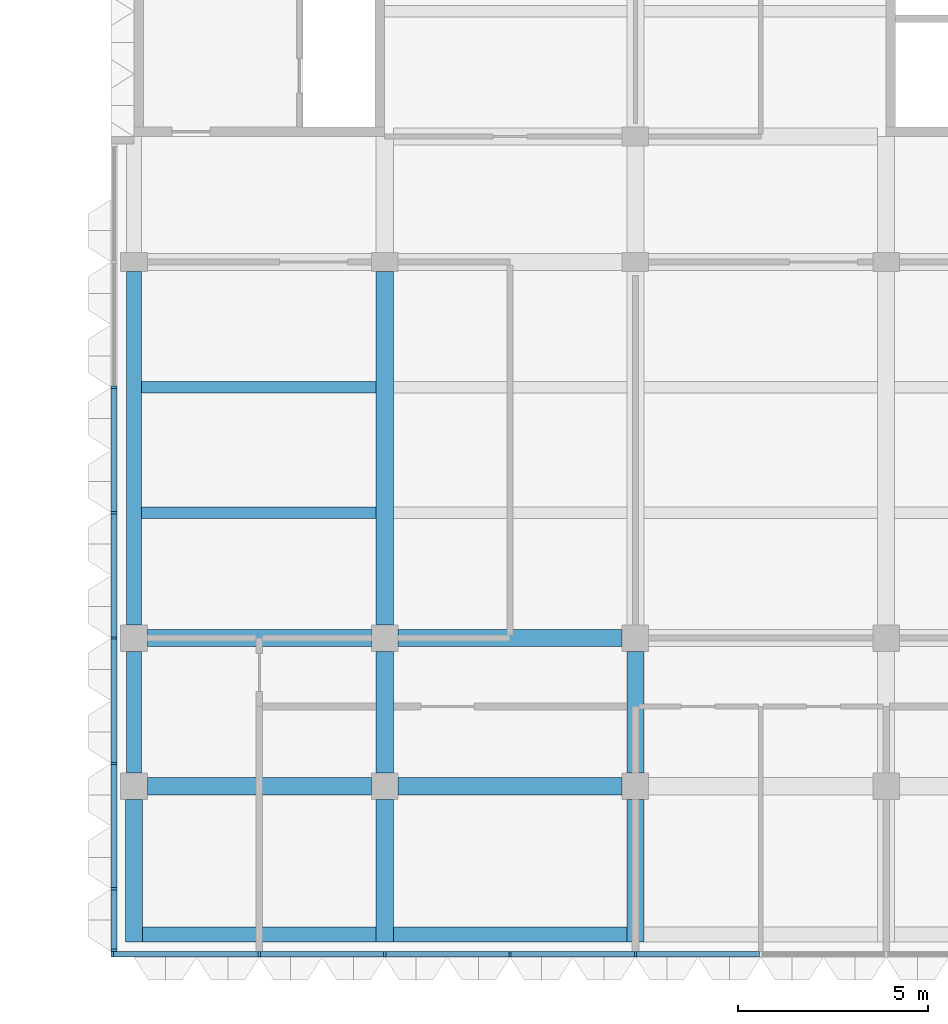
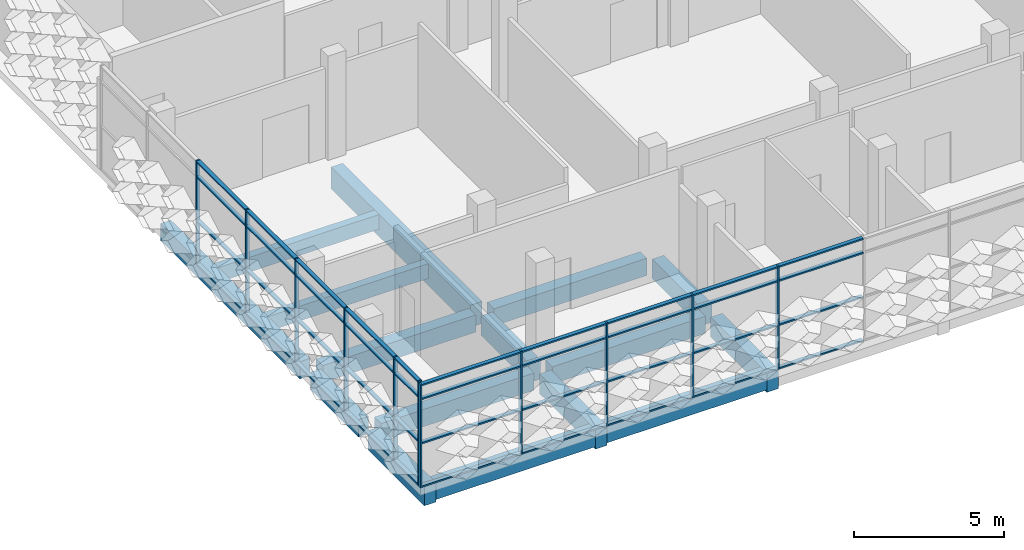
# One storey, part 2 of 61: 51 members, 16 beams, 2 elements without a shape of their own.
"""IFC4 building model written with IfcOpenShell, lengths in metres."""

from ifc_helpers import new_model, si_unit, direction, frame, origin, origin_2d, place, context, subcontext, project, spatial, rectangle, extrude, material, material_profile, profile_set, type_object, element, aggregate, save


model = new_model("IFC4")

# Units and contexts
model_context = context("Model", 3, precision=1e-05, world=origin(), true_north=direction((0.0, 1.0)))
body_context = subcontext(model_context, "Body", "Model", "MODEL_VIEW")
ifc_project = project(units=[si_unit("LENGTHUNIT", "METRE"), si_unit("AREAUNIT", "SQUARE_METRE"), si_unit("VOLUMEUNIT", "CUBIC_METRE"), si_unit("PLANEANGLEUNIT", "RADIAN"), si_unit("MASSUNIT", "GRAM", prefix="KILO")], contexts=[model_context])

# Site, building, storey
site_placement = place(None, origin())
site = spatial("IfcSite", under=ifc_project, at=site_placement, CompositionType="ELEMENT")
building_placement = place(site_placement, origin())
building = spatial("IfcBuilding", under=site, at=building_placement, Name="Lantern Court Research Institute", CompositionType="ELEMENT")
storey_placement = place(building_placement, frame((0.0, 0.0, 23.39990234375)))
storey = spatial("IfcBuildingStorey", under=building, at=storey_placement, Name="L05", CompositionType="ELEMENT", Elevation=23.39990234375)

# Curtain wall, members
ifc_material_1 = material(Name="Aluminium alloy 6063-T6", Category="aluminium")
curtain_wall_type_1 = type_object("IfcCurtainWallType", Name="Curtain wall 53400 x 4200 x 150 aluminium frame", PredefinedType="NOTDEFINED", material=ifc_material_1)
curtain_wall_1_placement = place(storey_placement, origin())
curtain_wall_1 = element("IfcCurtainWall", 1, at=curtain_wall_1_placement, inside=storey, type_object=curtain_wall_type_1, Name="Curtain wall CW072", PredefinedType="NOTDEFINED")
ifc_material_2 = material(Name="Aluminium alloy 6063-T6", Category="aluminium")
ifc_material_profile_1 = material_profile(ifc_material_2, rectangle(XDim=0.14990234375, YDim=0.06005859375, at=origin_2d()), Name="Mullion 150 x 60")
ifc_profile_set_1 = profile_set([ifc_material_profile_1], Name="Aluminium alloy 6063-T6")
member_type_1 = type_object("IfcMemberType", Name="Mullion 150 x 60 aluminium", PredefinedType="MULLION", material=ifc_profile_set_1)
member_1_placement = place(storey_placement, frame((-0.570068359375, -8.324951171875, 0.0), z_axis=(0.0, 0.0, 1.0), x_axis=(0.0, -1.0, 0.0)))
member_1 = element("IfcMember", 2, at=member_1_placement, type_object=member_type_1, Name="CW072 mullion 1", PredefinedType="MULLION", context=body_context, shape_type="SweptSolid", body=[
    extrude(rectangle(XDim=0.14990234375, YDim=0.06005859375, at=origin_2d()), origin(), (0.0, 0.0, 1.0), 4.2001953125),
])
member_2_placement = place(storey_placement, frame((3.300048828125, -8.324951171875, 0.0), z_axis=(0.0, 0.0, 1.0), x_axis=(0.0, -1.0, 0.0)))
member_2 = element("IfcMember", 3, at=member_2_placement, type_object=member_type_1, Name="CW072 mullion 2", PredefinedType="MULLION", context=body_context, shape_type="SweptSolid", body=[
    extrude(rectangle(XDim=0.14990234375, YDim=0.06005859375, at=origin_2d()), origin(), (0.0, 0.0, 1.0), 4.2001953125),
])
member_3_placement = place(storey_placement, frame((6.60009765625, -8.324951171875, 0.0), z_axis=(0.0, 0.0, 1.0), x_axis=(0.0, -1.0, 0.0)))
member_3 = element("IfcMember", 4, at=member_3_placement, type_object=member_type_1, Name="CW072 mullion 3", PredefinedType="MULLION", context=body_context, shape_type="SweptSolid", body=[
    extrude(rectangle(XDim=0.14990234375, YDim=0.06005859375, at=origin_2d()), origin(), (0.0, 0.0, 1.0), 4.2001953125),
])
member_4_placement = place(storey_placement, frame((9.89990234375, -8.324951171875, 0.0), z_axis=(0.0, 0.0, 1.0), x_axis=(0.0, -1.0, 0.0)))
member_4 = element("IfcMember", 5, at=member_4_placement, type_object=member_type_1, Name="CW072 mullion 4", PredefinedType="MULLION", context=body_context, shape_type="SweptSolid", body=[
    extrude(rectangle(XDim=0.14990234375, YDim=0.06005859375, at=origin_2d()), origin(), (0.0, 0.0, 1.0), 4.2001953125),
])
member_5_placement = place(storey_placement, frame((13.199951171875, -8.324951171875, 0.0), z_axis=(0.0, 0.0, 1.0), x_axis=(0.0, -1.0, 0.0)))
member_5 = element("IfcMember", 6, at=member_5_placement, type_object=member_type_1, Name="CW072 mullion 5", PredefinedType="MULLION", context=body_context, shape_type="SweptSolid", body=[
    extrude(rectangle(XDim=0.14990234375, YDim=0.06005859375, at=origin_2d()), origin(), (0.0, 0.0, 1.0), 4.2001953125),
])

ifc_material_3 = material(Name="Aluminium alloy 6063-T6", Category="aluminium")
curtain_wall_type_2 = type_object("IfcCurtainWallType", Name="Curtain wall 21250 x 4250 x 150 aluminium frame", PredefinedType="NOTDEFINED", material=ifc_material_3)
curtain_wall_2_placement = place(storey_placement, origin())
curtain_wall_2 = element("IfcCurtainWall", 7, at=curtain_wall_2_placement, inside=storey, type_object=curtain_wall_type_2, Name="Curtain wall CW073", PredefinedType="NOTDEFINED")
member_6_placement = place(storey_placement, frame((-0.52490234375, -8.219970703125, 0.0), z_axis=(0.0, 0.0, 1.0), x_axis=(-1.0, 0.0, 0.0)))
member_6 = element("IfcMember", 8, at=member_6_placement, type_object=member_type_1, Name="CW073 mullion 1", PredefinedType="MULLION", context=body_context, shape_type="SweptSolid", body=[
    extrude(rectangle(XDim=0.14990234375, YDim=0.06005859375, at=origin_2d()), origin(), (0.0, 0.0, 1.0), 4.25),
])
member_7_placement = place(storey_placement, frame((-0.52490234375, -6.60009765625, 0.0), z_axis=(0.0, 0.0, 1.0), x_axis=(-1.0, 0.0, 0.0)))
member_7 = element("IfcMember", 9, at=member_7_placement, type_object=member_type_1, Name="CW073 mullion 2", PredefinedType="MULLION", context=body_context, shape_type="SweptSolid", body=[
    extrude(rectangle(XDim=0.14990234375, YDim=0.06005859375, at=origin_2d()), origin(), (0.0, 0.0, 1.0), 4.25),
])
member_8_placement = place(storey_placement, frame((-0.52490234375, -3.300048828125, 0.0), z_axis=(0.0, 0.0, 1.0), x_axis=(-1.0, 0.0, 0.0)))
member_8 = element("IfcMember", 10, at=member_8_placement, type_object=member_type_1, Name="CW073 mullion 3", PredefinedType="MULLION", context=body_context, shape_type="SweptSolid", body=[
    extrude(rectangle(XDim=0.14990234375, YDim=0.06005859375, at=origin_2d()), origin(), (0.0, 0.0, 1.0), 4.25),
])
member_9_placement = place(storey_placement, frame((-0.52490234375, 0.0, 0.0), z_axis=(0.0, 0.0, 1.0), x_axis=(-1.0, 0.0, 0.0)))
member_9 = element("IfcMember", 11, at=member_9_placement, type_object=member_type_1, Name="CW073 mullion 4", PredefinedType="MULLION", context=body_context, shape_type="SweptSolid", body=[
    extrude(rectangle(XDim=0.14990234375, YDim=0.06005859375, at=origin_2d()), origin(), (0.0, 0.0, 1.0), 4.25),
])
member_10_placement = place(storey_placement, frame((-0.52490234375, 3.300048828125, 0.0), z_axis=(0.0, 0.0, 1.0), x_axis=(-1.0, 0.0, 0.0)))
member_10 = element("IfcMember", 12, at=member_10_placement, type_object=member_type_1, Name="CW073 mullion 5", PredefinedType="MULLION", context=body_context, shape_type="SweptSolid", body=[
    extrude(rectangle(XDim=0.14990234375, YDim=0.06005859375, at=origin_2d()), origin(), (0.0, 0.0, 1.0), 4.25),
])
member_11_placement = place(storey_placement, frame((-0.52490234375, 6.60009765625, 0.0), z_axis=(0.0, 0.0, 1.0), x_axis=(-1.0, 0.0, 0.0)))
member_11 = element("IfcMember", 13, at=member_11_placement, type_object=member_type_1, Name="CW073 mullion 6", PredefinedType="MULLION", context=body_context, shape_type="SweptSolid", body=[
    extrude(rectangle(XDim=0.14990234375, YDim=0.06005859375, at=origin_2d()), origin(), (0.0, 0.0, 1.0), 4.25),
])

# Beams
ifc_material_4 = material(Name="Concrete C40/50", Category="concrete")
ifc_material_profile_2 = material_profile(ifc_material_4, rectangle(XDim=0.449951171875, YDim=0.699951171875, at=origin_2d()), Name="RC beam 450 x 700")
ifc_profile_set_2 = profile_set([ifc_material_profile_2], Name="Concrete C40/50")
beam_type_1 = type_object("IfcBeamType", Name="RC beam 450 x 700", PredefinedType="BEAM", material=ifc_profile_set_2)
beam_1_placement = place(storey_placement, frame((0.35009765625, -3.89990234375, -0.64990234375), z_axis=(1.0, 0.0, 0.0), x_axis=(0.0, 1.0, 0.0)))
element("IfcBeam", 14, at=beam_1_placement, inside=storey, type_object=beam_type_1, Name="Beam L05 grid Y/1-2", PredefinedType="BEAM", context=body_context, shape_type="SweptSolid", body=[
    extrude(rectangle(XDim=0.449951171875, YDim=0.699951171875, at=origin_2d()), origin(), (0.0, 0.0, 1.0), 5.89990234375),
])
beam_2_placement = place(storey_placement, frame((6.949951171875, -3.89990234375, -0.64990234375), z_axis=(1.0, 0.0, 0.0), x_axis=(0.0, 1.0, 0.0)))
element("IfcBeam", 15, at=beam_2_placement, inside=storey, type_object=beam_type_1, Name="Beam L05 grid Y/2-3", PredefinedType="BEAM", context=body_context, shape_type="SweptSolid", body=[
    extrude(rectangle(XDim=0.449951171875, YDim=0.699951171875, at=origin_2d()), origin(), (0.0, 0.0, 1.0), 5.900146484375),
])
beam_3_placement = place(storey_placement, frame((0.35009765625, 0.0, -0.64990234375), z_axis=(1.0, 0.0, 0.0), x_axis=(0.0, 1.0, 0.0)))
element("IfcBeam", 16, at=beam_3_placement, inside=storey, type_object=beam_type_1, Name="Beam L05 grid A/1-2", PredefinedType="BEAM", context=body_context, shape_type="SweptSolid", body=[
    extrude(rectangle(XDim=0.449951171875, YDim=0.699951171875, at=origin_2d()), origin(), (0.0, 0.0, 1.0), 5.89990234375),
])
beam_4_placement = place(storey_placement, frame((6.949951171875, 0.0, -0.64990234375), z_axis=(1.0, 0.0, 0.0), x_axis=(0.0, 1.0, 0.0)))
element("IfcBeam", 17, at=beam_4_placement, inside=storey, type_object=beam_type_1, Name="Beam L05 grid A/2-3", PredefinedType="BEAM", context=body_context, shape_type="SweptSolid", body=[
    extrude(rectangle(XDim=0.449951171875, YDim=0.699951171875, at=origin_2d()), origin(), (0.0, 0.0, 1.0), 5.900146484375),
])
ifc_material_5 = material(Name="Concrete C40/50", Category="concrete")
ifc_material_profile_3 = material_profile(ifc_material_5, rectangle(XDim=0.449951171875, YDim=0.800048828125, at=origin_2d()), Name="RC beam 450 x 800")
ifc_profile_set_3 = profile_set([ifc_material_profile_3], Name="Concrete C40/50")
beam_type_2 = type_object("IfcBeamType", Name="RC cantilever beam 450 x 800", PredefinedType="BEAM", material=ifc_profile_set_3)
for number, where, z_axis, x_axis, name in (
    (18, (0.0, -4.25, -0.699951171875), (0.0, -1.0, 0.0), (1.0, 0.0, 0.0), "Cantilever beam L05 grid 1/Y-tip"),
    (19, (6.60009765625, -4.25, -0.699951171875), (0.0, -1.0, 0.0), (1.0, 0.0, 0.0), "Cantilever beam L05 grid 2/Y-tip"),
    (20, (13.199951171875, -4.25, -0.699951171875), (0.0, -1.0, 0.0), (1.0, 0.0, 0.0), "Cantilever beam L05 grid 3/Y-tip"),
):
    element("IfcBeam", number, at=place(storey_placement, frame(where, z_axis=z_axis, x_axis=x_axis)), inside=storey, type_object=beam_type_2, Name=name, PredefinedType="BEAM", context=body_context, shape_type="SweptSolid", body=[
        extrude(rectangle(XDim=0.449951171875, YDim=0.800048828125, at=origin_2d()), origin(), (0.0, 0.0, 1.0), 3.75),
    ])
ifc_material_6 = material(Name="Concrete C40/50", Category="concrete")
ifc_material_profile_4 = material_profile(ifc_material_6, rectangle(XDim=0.39990234375, YDim=0.699951171875, at=origin_2d()), Name="RC beam 400 x 700")
ifc_profile_set_4 = profile_set([ifc_material_profile_4], Name="Concrete C40/50")
beam_type_3 = type_object("IfcBeamType", Name="RC edge beam 400 x 700", PredefinedType="BEAM", material=ifc_profile_set_4)
beam_5_placement = place(storey_placement, frame((0.0, -3.550048828125, -0.64990234375), z_axis=(0.0, 1.0, 0.0), x_axis=(-1.0, 0.0, 0.0)))
element("IfcBeam", 21, at=beam_5_placement, inside=storey, type_object=beam_type_3, Name="Edge beam L05 grid 1/Y-A", PredefinedType="BEAM", context=body_context, shape_type="SweptSolid", body=[
    extrude(rectangle(XDim=0.39990234375, YDim=0.699951171875, at=origin_2d()), origin(), (0.0, 0.0, 1.0), 3.199951171875),
])
beam_6_placement = place(storey_placement, frame((0.0, 0.35009765625, -0.64990234375), z_axis=(0.0, 1.0, 0.0), x_axis=(-1.0, 0.0, 0.0)))
element("IfcBeam", 22, at=beam_6_placement, inside=storey, type_object=beam_type_3, Name="Edge beam L05 grid 1/A-B", PredefinedType="BEAM", context=body_context, shape_type="SweptSolid", body=[
    extrude(rectangle(XDim=0.39990234375, YDim=0.699951171875, at=origin_2d()), origin(), (0.0, 0.0, 1.0), 9.2998046875),
])
beam_7_placement = place(storey_placement, frame((0.22509765625, -7.800048828125, -0.64990234375), z_axis=(1.0, 0.0, 0.0), x_axis=(0.0, 1.0, 0.0)))
element("IfcBeam", 23, at=beam_7_placement, inside=storey, type_object=beam_type_3, Name="Edge beam L05 grid tip/1-2", PredefinedType="BEAM", context=body_context, shape_type="SweptSolid", body=[
    extrude(rectangle(XDim=0.39990234375, YDim=0.699951171875, at=origin_2d()), origin(), (0.0, 0.0, 1.0), 6.14990234375),
])
beam_8_placement = place(storey_placement, frame((6.824951171875, -7.800048828125, -0.64990234375), z_axis=(1.0, 0.0, 0.0), x_axis=(0.0, 1.0, 0.0)))
element("IfcBeam", 24, at=beam_8_placement, inside=storey, type_object=beam_type_3, Name="Edge beam L05 grid tip/2-3", PredefinedType="BEAM", context=body_context, shape_type="SweptSolid", body=[
    extrude(rectangle(XDim=0.39990234375, YDim=0.699951171875, at=origin_2d()), origin(), (0.0, 0.0, 1.0), 6.150146484375),
])
ifc_material_7 = material(Name="Concrete C40/50", Category="concrete")
ifc_material_profile_5 = material_profile(ifc_material_7, rectangle(XDim=0.449951171875, YDim=0.800048828125, at=origin_2d()), Name="RC beam 450 x 800")
ifc_profile_set_5 = profile_set([ifc_material_profile_5], Name="Concrete C40/50")
beam_type_4 = type_object("IfcBeamType", Name="RC girder 450 x 800", PredefinedType="BEAM", material=ifc_profile_set_5)
for number, where, z_axis, x_axis, name in (
    (25, (6.60009765625, -3.550048828125, -0.699951171875), (0.0, 1.0, 0.0), (-1.0, 0.0, 0.0), "Girder L05 grid 2/Y-A"),
    (26, (13.199951171875, -3.550048828125, -0.699951171875), (0.0, 1.0, 0.0), (-1.0, 0.0, 0.0), "Girder L05 grid 3/Y-A"),
):
    element("IfcBeam", number, at=place(storey_placement, frame(where, z_axis=z_axis, x_axis=x_axis)), inside=storey, type_object=beam_type_4, Name=name, PredefinedType="BEAM", context=body_context, shape_type="SweptSolid", body=[
        extrude(rectangle(XDim=0.449951171875, YDim=0.800048828125, at=origin_2d()), origin(), (0.0, 0.0, 1.0), 3.199951171875),
    ])
ifc_material_8 = material(Name="Concrete C40/50", Category="concrete")
ifc_material_profile_6 = material_profile(ifc_material_8, rectangle(XDim=0.449951171875, YDim=0.89990234375, at=origin_2d()), Name="RC beam 450 x 900")
ifc_profile_set_6 = profile_set([ifc_material_profile_6], Name="Concrete C40/50")
beam_type_5 = type_object("IfcBeamType", Name="RC girder 450 x 900", PredefinedType="BEAM", material=ifc_profile_set_6)
beam_9_placement = place(storey_placement, frame((6.60009765625, 0.35009765625, -0.75), z_axis=(0.0, 1.0, 0.0), x_axis=(-1.0, 0.0, 0.0)))
element("IfcBeam", 27, at=beam_9_placement, inside=storey, type_object=beam_type_5, Name="Girder L05 grid 2/A-B", PredefinedType="BEAM", context=body_context, shape_type="SweptSolid", body=[
    extrude(rectangle(XDim=0.449951171875, YDim=0.89990234375, at=origin_2d()), origin(), (0.0, 0.0, 1.0), 9.2998046875),
])
ifc_material_9 = material(Name="Concrete C40/50", Category="concrete")
ifc_material_profile_7 = material_profile(ifc_material_9, rectangle(XDim=0.300048828125, YDim=0.60009765625, at=origin_2d()), Name="RC beam 300 x 600")
ifc_profile_set_7 = profile_set([ifc_material_profile_7], Name="Concrete C40/50")
beam_type_6 = type_object("IfcBeamType", Name="RC secondary beam 300 x 600", PredefinedType="BEAM", material=ifc_profile_set_7)
for number, where, z_axis, x_axis, name in (
    (28, (0.199951171875, 3.300048828125, -0.599853515625), (1.0, 0.0, 0.0), (0.0, 1.0, 0.0), "Secondary beam L05 grids 1-2 / A-B, line 1"),
    (29, (0.199951171875, 6.60009765625, -0.599853515625), (1.0, 0.0, 0.0), (0.0, 1.0, 0.0), "Secondary beam L05 grids 1-2 / A-B, line 2"),
):
    element("IfcBeam", number, at=place(storey_placement, frame(where, z_axis=z_axis, x_axis=x_axis)), inside=storey, type_object=beam_type_6, Name=name, PredefinedType="BEAM", context=body_context, shape_type="SweptSolid", body=[
        extrude(rectangle(XDim=0.300048828125, YDim=0.60009765625, at=origin_2d()), origin(), (0.0, 0.0, 1.0), 6.175048828125),
    ])

# Member
ifc_material_10 = material(Name="Aluminium alloy 6063-T6", Category="aluminium")
ifc_material_profile_8 = material_profile(ifc_material_10, rectangle(XDim=0.14990234375, YDim=0.06005859375, at=origin_2d()), Name="Transom 150 x 60")
ifc_profile_set_8 = profile_set([ifc_material_profile_8], Name="Aluminium alloy 6063-T6")
member_type_2 = type_object("IfcMemberType", Name="Transom 150 x 60 aluminium", PredefinedType="USERDEFINED", material=ifc_profile_set_8)
member_12_placement = place(storey_placement, frame((3.27001953125, -8.324951171875, 0.030029296875), z_axis=(-1.0, 0.0, 0.0), x_axis=(0.0, -1.0, 0.0)))
member_12 = element("IfcMember", 30, at=member_12_placement, type_object=member_type_2, Name="CW072 transom 1.1", ObjectType="TRANSOM", PredefinedType="USERDEFINED", context=body_context, shape_type="SweptSolid", body=[
    extrude(rectangle(XDim=0.14990234375, YDim=0.06005859375, at=origin_2d()), origin(), (0.0, 0.0, 1.0), 3.81005859375),
])

member_13_placement = place(storey_placement, frame((3.27001953125, -8.324951171875, 1.800048828125), z_axis=(-1.0, 0.0, 0.0), x_axis=(0.0, -1.0, 0.0)))
member_13 = element("IfcMember", 31, at=member_13_placement, type_object=member_type_2, Name="CW072 transom 1.2", ObjectType="TRANSOM", PredefinedType="USERDEFINED", context=body_context, shape_type="SweptSolid", body=[
    extrude(rectangle(XDim=0.14990234375, YDim=0.06005859375, at=origin_2d()), origin(), (0.0, 0.0, 1.0), 3.81005859375),
])

member_14_placement = place(storey_placement, frame((3.27001953125, -8.324951171875, 3.60009765625), z_axis=(-1.0, 0.0, 0.0), x_axis=(0.0, -1.0, 0.0)))
member_14 = element("IfcMember", 32, at=member_14_placement, type_object=member_type_2, Name="CW072 transom 1.3", ObjectType="TRANSOM", PredefinedType="USERDEFINED", context=body_context, shape_type="SweptSolid", body=[
    extrude(rectangle(XDim=0.14990234375, YDim=0.06005859375, at=origin_2d()), origin(), (0.0, 0.0, 1.0), 3.81005859375),
])

member_15_placement = place(storey_placement, frame((3.27001953125, -8.324951171875, 4.170166015625), z_axis=(-1.0, 0.0, 0.0), x_axis=(0.0, -1.0, 0.0)))
member_15 = element("IfcMember", 33, at=member_15_placement, type_object=member_type_2, Name="CW072 transom 1.4", ObjectType="TRANSOM", PredefinedType="USERDEFINED", context=body_context, shape_type="SweptSolid", body=[
    extrude(rectangle(XDim=0.14990234375, YDim=0.06005859375, at=origin_2d()), origin(), (0.0, 0.0, 1.0), 3.81005859375),
])

member_16_placement = place(storey_placement, frame((6.570068359375, -8.324951171875, 0.030029296875), z_axis=(-1.0, 0.0, 0.0), x_axis=(0.0, -1.0, 0.0)))
member_16 = element("IfcMember", 34, at=member_16_placement, type_object=member_type_2, Name="CW072 transom 2.1", ObjectType="TRANSOM", PredefinedType="USERDEFINED", context=body_context, shape_type="SweptSolid", body=[
    extrude(rectangle(XDim=0.14990234375, YDim=0.06005859375, at=origin_2d()), origin(), (0.0, 0.0, 1.0), 3.239990234375),
])

member_17_placement = place(storey_placement, frame((6.570068359375, -8.324951171875, 1.800048828125), z_axis=(-1.0, 0.0, 0.0), x_axis=(0.0, -1.0, 0.0)))
member_17 = element("IfcMember", 35, at=member_17_placement, type_object=member_type_2, Name="CW072 transom 2.2", ObjectType="TRANSOM", PredefinedType="USERDEFINED", context=body_context, shape_type="SweptSolid", body=[
    extrude(rectangle(XDim=0.14990234375, YDim=0.06005859375, at=origin_2d()), origin(), (0.0, 0.0, 1.0), 3.239990234375),
])

member_18_placement = place(storey_placement, frame((6.570068359375, -8.324951171875, 3.60009765625), z_axis=(-1.0, 0.0, 0.0), x_axis=(0.0, -1.0, 0.0)))
member_18 = element("IfcMember", 36, at=member_18_placement, type_object=member_type_2, Name="CW072 transom 2.3", ObjectType="TRANSOM", PredefinedType="USERDEFINED", context=body_context, shape_type="SweptSolid", body=[
    extrude(rectangle(XDim=0.14990234375, YDim=0.06005859375, at=origin_2d()), origin(), (0.0, 0.0, 1.0), 3.239990234375),
])

member_19_placement = place(storey_placement, frame((6.570068359375, -8.324951171875, 4.170166015625), z_axis=(-1.0, 0.0, 0.0), x_axis=(0.0, -1.0, 0.0)))
member_19 = element("IfcMember", 37, at=member_19_placement, type_object=member_type_2, Name="CW072 transom 2.4", ObjectType="TRANSOM", PredefinedType="USERDEFINED", context=body_context, shape_type="SweptSolid", body=[
    extrude(rectangle(XDim=0.14990234375, YDim=0.06005859375, at=origin_2d()), origin(), (0.0, 0.0, 1.0), 3.239990234375),
])

member_20_placement = place(storey_placement, frame((9.8701171875, -8.324951171875, 0.030029296875), z_axis=(-1.0, 0.0, 0.0), x_axis=(0.0, -1.0, 0.0)))
member_20 = element("IfcMember", 38, at=member_20_placement, type_object=member_type_2, Name="CW072 transom 3.1", ObjectType="TRANSOM", PredefinedType="USERDEFINED", context=body_context, shape_type="SweptSolid", body=[
    extrude(rectangle(XDim=0.14990234375, YDim=0.06005859375, at=origin_2d()), origin(), (0.0, 0.0, 1.0), 3.240234375),
])

member_21_placement = place(storey_placement, frame((9.8701171875, -8.324951171875, 1.800048828125), z_axis=(-1.0, 0.0, 0.0), x_axis=(0.0, -1.0, 0.0)))
member_21 = element("IfcMember", 39, at=member_21_placement, type_object=member_type_2, Name="CW072 transom 3.2", ObjectType="TRANSOM", PredefinedType="USERDEFINED", context=body_context, shape_type="SweptSolid", body=[
    extrude(rectangle(XDim=0.14990234375, YDim=0.06005859375, at=origin_2d()), origin(), (0.0, 0.0, 1.0), 3.240234375),
])

member_22_placement = place(storey_placement, frame((9.8701171875, -8.324951171875, 3.60009765625), z_axis=(-1.0, 0.0, 0.0), x_axis=(0.0, -1.0, 0.0)))
member_22 = element("IfcMember", 40, at=member_22_placement, type_object=member_type_2, Name="CW072 transom 3.3", ObjectType="TRANSOM", PredefinedType="USERDEFINED", context=body_context, shape_type="SweptSolid", body=[
    extrude(rectangle(XDim=0.14990234375, YDim=0.06005859375, at=origin_2d()), origin(), (0.0, 0.0, 1.0), 3.240234375),
])

member_23_placement = place(storey_placement, frame((9.8701171875, -8.324951171875, 4.170166015625), z_axis=(-1.0, 0.0, 0.0), x_axis=(0.0, -1.0, 0.0)))
member_23 = element("IfcMember", 41, at=member_23_placement, type_object=member_type_2, Name="CW072 transom 3.4", ObjectType="TRANSOM", PredefinedType="USERDEFINED", context=body_context, shape_type="SweptSolid", body=[
    extrude(rectangle(XDim=0.14990234375, YDim=0.06005859375, at=origin_2d()), origin(), (0.0, 0.0, 1.0), 3.240234375),
])

member_24_placement = place(storey_placement, frame((13.169921875, -8.324951171875, 0.030029296875), z_axis=(-1.0, 0.0, 0.0), x_axis=(0.0, -1.0, 0.0)))
member_24 = element("IfcMember", 42, at=member_24_placement, type_object=member_type_2, Name="CW072 transom 4.1", ObjectType="TRANSOM", PredefinedType="USERDEFINED", context=body_context, shape_type="SweptSolid", body=[
    extrude(rectangle(XDim=0.14990234375, YDim=0.06005859375, at=origin_2d()), origin(), (0.0, 0.0, 1.0), 3.239990234375),
])

member_25_placement = place(storey_placement, frame((13.169921875, -8.324951171875, 1.800048828125), z_axis=(-1.0, 0.0, 0.0), x_axis=(0.0, -1.0, 0.0)))
member_25 = element("IfcMember", 43, at=member_25_placement, type_object=member_type_2, Name="CW072 transom 4.2", ObjectType="TRANSOM", PredefinedType="USERDEFINED", context=body_context, shape_type="SweptSolid", body=[
    extrude(rectangle(XDim=0.14990234375, YDim=0.06005859375, at=origin_2d()), origin(), (0.0, 0.0, 1.0), 3.239990234375),
])

member_26_placement = place(storey_placement, frame((13.169921875, -8.324951171875, 3.60009765625), z_axis=(-1.0, 0.0, 0.0), x_axis=(0.0, -1.0, 0.0)))
member_26 = element("IfcMember", 44, at=member_26_placement, type_object=member_type_2, Name="CW072 transom 4.3", ObjectType="TRANSOM", PredefinedType="USERDEFINED", context=body_context, shape_type="SweptSolid", body=[
    extrude(rectangle(XDim=0.14990234375, YDim=0.06005859375, at=origin_2d()), origin(), (0.0, 0.0, 1.0), 3.239990234375),
])

member_27_placement = place(storey_placement, frame((13.169921875, -8.324951171875, 4.170166015625), z_axis=(-1.0, 0.0, 0.0), x_axis=(0.0, -1.0, 0.0)))
member_27 = element("IfcMember", 45, at=member_27_placement, type_object=member_type_2, Name="CW072 transom 4.4", ObjectType="TRANSOM", PredefinedType="USERDEFINED", context=body_context, shape_type="SweptSolid", body=[
    extrude(rectangle(XDim=0.14990234375, YDim=0.06005859375, at=origin_2d()), origin(), (0.0, 0.0, 1.0), 3.239990234375),
])

member_28_placement = place(storey_placement, frame((16.469970703125, -8.324951171875, 0.030029296875), z_axis=(-1.0, 0.0, 0.0), x_axis=(0.0, -1.0, 0.0)))
member_28 = element("IfcMember", 46, at=member_28_placement, type_object=member_type_2, Name="CW072 transom 5.1", ObjectType="TRANSOM", PredefinedType="USERDEFINED", context=body_context, shape_type="SweptSolid", body=[
    extrude(rectangle(XDim=0.14990234375, YDim=0.06005859375, at=origin_2d()), origin(), (0.0, 0.0, 1.0), 3.239990234375),
])

member_29_placement = place(storey_placement, frame((16.469970703125, -8.324951171875, 1.800048828125), z_axis=(-1.0, 0.0, 0.0), x_axis=(0.0, -1.0, 0.0)))
member_29 = element("IfcMember", 47, at=member_29_placement, type_object=member_type_2, Name="CW072 transom 5.2", ObjectType="TRANSOM", PredefinedType="USERDEFINED", context=body_context, shape_type="SweptSolid", body=[
    extrude(rectangle(XDim=0.14990234375, YDim=0.06005859375, at=origin_2d()), origin(), (0.0, 0.0, 1.0), 3.239990234375),
])

member_30_placement = place(storey_placement, frame((16.469970703125, -8.324951171875, 3.60009765625), z_axis=(-1.0, 0.0, 0.0), x_axis=(0.0, -1.0, 0.0)))
member_30 = element("IfcMember", 48, at=member_30_placement, type_object=member_type_2, Name="CW072 transom 5.3", ObjectType="TRANSOM", PredefinedType="USERDEFINED", context=body_context, shape_type="SweptSolid", body=[
    extrude(rectangle(XDim=0.14990234375, YDim=0.06005859375, at=origin_2d()), origin(), (0.0, 0.0, 1.0), 3.239990234375),
])

member_31_placement = place(storey_placement, frame((16.469970703125, -8.324951171875, 4.170166015625), z_axis=(-1.0, 0.0, 0.0), x_axis=(0.0, -1.0, 0.0)))
member_31 = element("IfcMember", 49, at=member_31_placement, type_object=member_type_2, Name="CW072 transom 5.4", ObjectType="TRANSOM", PredefinedType="USERDEFINED", context=body_context, shape_type="SweptSolid", body=[
    extrude(rectangle(XDim=0.14990234375, YDim=0.06005859375, at=origin_2d()), origin(), (0.0, 0.0, 1.0), 3.239990234375),
])

aggregate(curtain_wall_1, [member_1, member_2, member_3, member_4, member_5, member_12, member_13, member_14, member_15, member_16, member_17, member_18, member_19, member_20, member_21, member_22, member_23, member_24, member_25, member_26, member_27, member_28, member_29, member_30, member_31])

member_32_placement = place(storey_placement, frame((-0.52490234375, -8.18994140625, 0.030029296875), z_axis=(0.0, 1.0, 0.0), x_axis=(-1.0, 0.0, 0.0)))
member_32 = element("IfcMember", 50, at=member_32_placement, type_object=member_type_2, Name="CW073 transom 1.1", ObjectType="TRANSOM", PredefinedType="USERDEFINED", context=body_context, shape_type="SweptSolid", body=[
    extrude(rectangle(XDim=0.14990234375, YDim=0.06005859375, at=origin_2d()), origin(), (0.0, 0.0, 1.0), 1.56005859375),
])

member_33_placement = place(storey_placement, frame((-0.52490234375, -8.18994140625, 1.800048828125), z_axis=(0.0, 1.0, 0.0), x_axis=(-1.0, 0.0, 0.0)))
member_33 = element("IfcMember", 51, at=member_33_placement, type_object=member_type_2, Name="CW073 transom 1.2", ObjectType="TRANSOM", PredefinedType="USERDEFINED", context=body_context, shape_type="SweptSolid", body=[
    extrude(rectangle(XDim=0.14990234375, YDim=0.06005859375, at=origin_2d()), origin(), (0.0, 0.0, 1.0), 1.56005859375),
])

member_34_placement = place(storey_placement, frame((-0.52490234375, -8.18994140625, 3.60009765625), z_axis=(0.0, 1.0, 0.0), x_axis=(-1.0, 0.0, 0.0)))
member_34 = element("IfcMember", 52, at=member_34_placement, type_object=member_type_2, Name="CW073 transom 1.3", ObjectType="TRANSOM", PredefinedType="USERDEFINED", context=body_context, shape_type="SweptSolid", body=[
    extrude(rectangle(XDim=0.14990234375, YDim=0.06005859375, at=origin_2d()), origin(), (0.0, 0.0, 1.0), 1.56005859375),
])

member_35_placement = place(storey_placement, frame((-0.52490234375, -8.18994140625, 4.22021484375), z_axis=(0.0, 1.0, 0.0), x_axis=(-1.0, 0.0, 0.0)))
member_35 = element("IfcMember", 53, at=member_35_placement, type_object=member_type_2, Name="CW073 transom 1.4", ObjectType="TRANSOM", PredefinedType="USERDEFINED", context=body_context, shape_type="SweptSolid", body=[
    extrude(rectangle(XDim=0.14990234375, YDim=0.06005859375, at=origin_2d()), origin(), (0.0, 0.0, 1.0), 1.56005859375),
])

member_36_placement = place(storey_placement, frame((-0.52490234375, -6.570068359375, 0.030029296875), z_axis=(0.0, 1.0, 0.0), x_axis=(-1.0, 0.0, 0.0)))
member_36 = element("IfcMember", 54, at=member_36_placement, type_object=member_type_2, Name="CW073 transom 2.1", ObjectType="TRANSOM", PredefinedType="USERDEFINED", context=body_context, shape_type="SweptSolid", body=[
    extrude(rectangle(XDim=0.14990234375, YDim=0.06005859375, at=origin_2d()), origin(), (0.0, 0.0, 1.0), 3.239990234375),
])

member_37_placement = place(storey_placement, frame((-0.52490234375, -6.570068359375, 1.800048828125), z_axis=(0.0, 1.0, 0.0), x_axis=(-1.0, 0.0, 0.0)))
member_37 = element("IfcMember", 55, at=member_37_placement, type_object=member_type_2, Name="CW073 transom 2.2", ObjectType="TRANSOM", PredefinedType="USERDEFINED", context=body_context, shape_type="SweptSolid", body=[
    extrude(rectangle(XDim=0.14990234375, YDim=0.06005859375, at=origin_2d()), origin(), (0.0, 0.0, 1.0), 3.239990234375),
])

member_38_placement = place(storey_placement, frame((-0.52490234375, -6.570068359375, 3.60009765625), z_axis=(0.0, 1.0, 0.0), x_axis=(-1.0, 0.0, 0.0)))
member_38 = element("IfcMember", 56, at=member_38_placement, type_object=member_type_2, Name="CW073 transom 2.3", ObjectType="TRANSOM", PredefinedType="USERDEFINED", context=body_context, shape_type="SweptSolid", body=[
    extrude(rectangle(XDim=0.14990234375, YDim=0.06005859375, at=origin_2d()), origin(), (0.0, 0.0, 1.0), 3.239990234375),
])

member_39_placement = place(storey_placement, frame((-0.52490234375, -6.570068359375, 4.22021484375), z_axis=(0.0, 1.0, 0.0), x_axis=(-1.0, 0.0, 0.0)))
member_39 = element("IfcMember", 57, at=member_39_placement, type_object=member_type_2, Name="CW073 transom 2.4", ObjectType="TRANSOM", PredefinedType="USERDEFINED", context=body_context, shape_type="SweptSolid", body=[
    extrude(rectangle(XDim=0.14990234375, YDim=0.06005859375, at=origin_2d()), origin(), (0.0, 0.0, 1.0), 3.239990234375),
])

member_40_placement = place(storey_placement, frame((-0.52490234375, -3.27001953125, 0.030029296875), z_axis=(0.0, 1.0, 0.0), x_axis=(-1.0, 0.0, 0.0)))
member_40 = element("IfcMember", 58, at=member_40_placement, type_object=member_type_2, Name="CW073 transom 3.1", ObjectType="TRANSOM", PredefinedType="USERDEFINED", context=body_context, shape_type="SweptSolid", body=[
    extrude(rectangle(XDim=0.14990234375, YDim=0.06005859375, at=origin_2d()), origin(), (0.0, 0.0, 1.0), 3.239990234375),
])

member_41_placement = place(storey_placement, frame((-0.52490234375, -3.27001953125, 1.800048828125), z_axis=(0.0, 1.0, 0.0), x_axis=(-1.0, 0.0, 0.0)))
member_41 = element("IfcMember", 59, at=member_41_placement, type_object=member_type_2, Name="CW073 transom 3.2", ObjectType="TRANSOM", PredefinedType="USERDEFINED", context=body_context, shape_type="SweptSolid", body=[
    extrude(rectangle(XDim=0.14990234375, YDim=0.06005859375, at=origin_2d()), origin(), (0.0, 0.0, 1.0), 3.239990234375),
])

member_42_placement = place(storey_placement, frame((-0.52490234375, -3.27001953125, 3.60009765625), z_axis=(0.0, 1.0, 0.0), x_axis=(-1.0, 0.0, 0.0)))
member_42 = element("IfcMember", 60, at=member_42_placement, type_object=member_type_2, Name="CW073 transom 3.3", ObjectType="TRANSOM", PredefinedType="USERDEFINED", context=body_context, shape_type="SweptSolid", body=[
    extrude(rectangle(XDim=0.14990234375, YDim=0.06005859375, at=origin_2d()), origin(), (0.0, 0.0, 1.0), 3.239990234375),
])

member_43_placement = place(storey_placement, frame((-0.52490234375, -3.27001953125, 4.22021484375), z_axis=(0.0, 1.0, 0.0), x_axis=(-1.0, 0.0, 0.0)))
member_43 = element("IfcMember", 61, at=member_43_placement, type_object=member_type_2, Name="CW073 transom 3.4", ObjectType="TRANSOM", PredefinedType="USERDEFINED", context=body_context, shape_type="SweptSolid", body=[
    extrude(rectangle(XDim=0.14990234375, YDim=0.06005859375, at=origin_2d()), origin(), (0.0, 0.0, 1.0), 3.239990234375),
])

member_44_placement = place(storey_placement, frame((-0.52490234375, 0.030029296875, 0.030029296875), z_axis=(0.0, 1.0, 0.0), x_axis=(-1.0, 0.0, 0.0)))
member_44 = element("IfcMember", 62, at=member_44_placement, type_object=member_type_2, Name="CW073 transom 4.1", ObjectType="TRANSOM", PredefinedType="USERDEFINED", context=body_context, shape_type="SweptSolid", body=[
    extrude(rectangle(XDim=0.14990234375, YDim=0.06005859375, at=origin_2d()), origin(), (0.0, 0.0, 1.0), 3.239990234375),
])

member_45_placement = place(storey_placement, frame((-0.52490234375, 0.030029296875, 1.800048828125), z_axis=(0.0, 1.0, 0.0), x_axis=(-1.0, 0.0, 0.0)))
member_45 = element("IfcMember", 63, at=member_45_placement, type_object=member_type_2, Name="CW073 transom 4.2", ObjectType="TRANSOM", PredefinedType="USERDEFINED", context=body_context, shape_type="SweptSolid", body=[
    extrude(rectangle(XDim=0.14990234375, YDim=0.06005859375, at=origin_2d()), origin(), (0.0, 0.0, 1.0), 3.239990234375),
])

member_46_placement = place(storey_placement, frame((-0.52490234375, 0.030029296875, 3.60009765625), z_axis=(0.0, 1.0, 0.0), x_axis=(-1.0, 0.0, 0.0)))
member_46 = element("IfcMember", 64, at=member_46_placement, type_object=member_type_2, Name="CW073 transom 4.3", ObjectType="TRANSOM", PredefinedType="USERDEFINED", context=body_context, shape_type="SweptSolid", body=[
    extrude(rectangle(XDim=0.14990234375, YDim=0.06005859375, at=origin_2d()), origin(), (0.0, 0.0, 1.0), 3.239990234375),
])

member_47_placement = place(storey_placement, frame((-0.52490234375, 0.030029296875, 4.22021484375), z_axis=(0.0, 1.0, 0.0), x_axis=(-1.0, 0.0, 0.0)))
member_47 = element("IfcMember", 65, at=member_47_placement, type_object=member_type_2, Name="CW073 transom 4.4", ObjectType="TRANSOM", PredefinedType="USERDEFINED", context=body_context, shape_type="SweptSolid", body=[
    extrude(rectangle(XDim=0.14990234375, YDim=0.06005859375, at=origin_2d()), origin(), (0.0, 0.0, 1.0), 3.239990234375),
])

member_48_placement = place(storey_placement, frame((-0.52490234375, 3.330078125, 0.030029296875), z_axis=(0.0, 1.0, 0.0), x_axis=(-1.0, 0.0, 0.0)))
member_48 = element("IfcMember", 66, at=member_48_placement, type_object=member_type_2, Name="CW073 transom 5.1", ObjectType="TRANSOM", PredefinedType="USERDEFINED", context=body_context, shape_type="SweptSolid", body=[
    extrude(rectangle(XDim=0.14990234375, YDim=0.06005859375, at=origin_2d()), origin(), (0.0, 0.0, 1.0), 3.239990234375),
])

member_49_placement = place(storey_placement, frame((-0.52490234375, 3.330078125, 1.800048828125), z_axis=(0.0, 1.0, 0.0), x_axis=(-1.0, 0.0, 0.0)))
member_49 = element("IfcMember", 67, at=member_49_placement, type_object=member_type_2, Name="CW073 transom 5.2", ObjectType="TRANSOM", PredefinedType="USERDEFINED", context=body_context, shape_type="SweptSolid", body=[
    extrude(rectangle(XDim=0.14990234375, YDim=0.06005859375, at=origin_2d()), origin(), (0.0, 0.0, 1.0), 3.239990234375),
])

member_50_placement = place(storey_placement, frame((-0.52490234375, 3.330078125, 3.60009765625), z_axis=(0.0, 1.0, 0.0), x_axis=(-1.0, 0.0, 0.0)))
member_50 = element("IfcMember", 68, at=member_50_placement, type_object=member_type_2, Name="CW073 transom 5.3", ObjectType="TRANSOM", PredefinedType="USERDEFINED", context=body_context, shape_type="SweptSolid", body=[
    extrude(rectangle(XDim=0.14990234375, YDim=0.06005859375, at=origin_2d()), origin(), (0.0, 0.0, 1.0), 3.239990234375),
])

member_51_placement = place(storey_placement, frame((-0.52490234375, 3.330078125, 4.22021484375), z_axis=(0.0, 1.0, 0.0), x_axis=(-1.0, 0.0, 0.0)))
member_51 = element("IfcMember", 69, at=member_51_placement, type_object=member_type_2, Name="CW073 transom 5.4", ObjectType="TRANSOM", PredefinedType="USERDEFINED", context=body_context, shape_type="SweptSolid", body=[
    extrude(rectangle(XDim=0.14990234375, YDim=0.06005859375, at=origin_2d()), origin(), (0.0, 0.0, 1.0), 3.239990234375),
])

aggregate(curtain_wall_2, [member_6, member_7, member_8, member_9, member_10, member_11, member_32, member_33, member_34, member_35, member_36, member_37, member_38, member_39, member_40, member_41, member_42, member_43, member_44, member_45, member_46, member_47, member_48, member_49, member_50, member_51])

save(model, "model.ifc")
